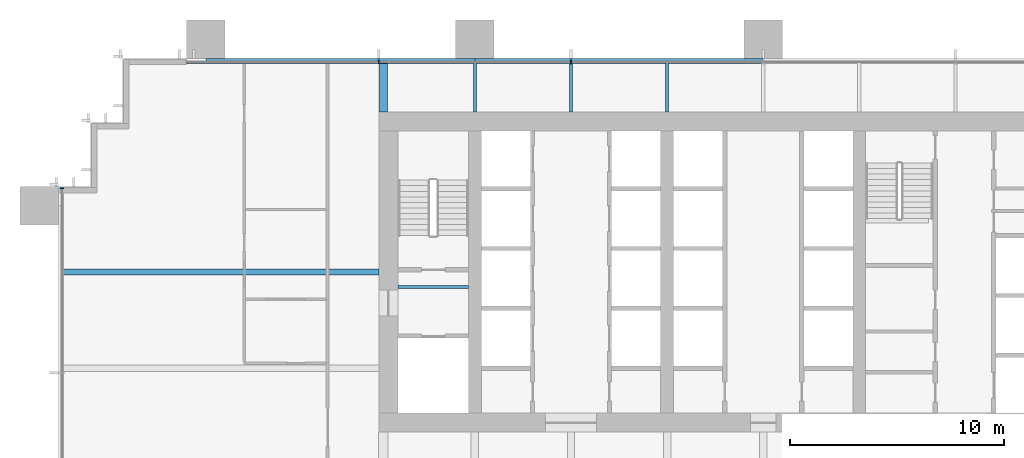
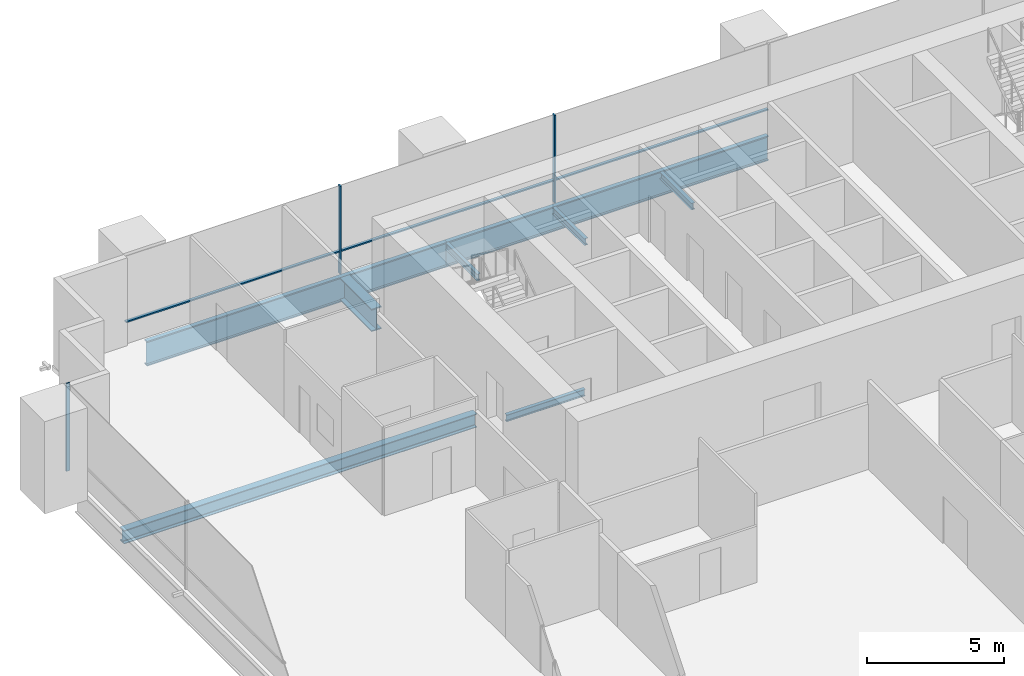
# One storey, part 7 of 17: 8 beams, 6 members, 2 elements without a shape of their own.
"""IFC4 building model written with IfcOpenShell, lengths in metres."""

import ifcopenshell
import ifcopenshell.guid

model = None  # the IFC model being written
_history = None  # IfcOwnerHistory: only IFC2X3 demands one
_inside = {}  # id of a spatial element -> (the spatial element, [elements in it])
_under = {}  # id of a project, library or spatial element -> (it, [spatial elements below it])
_declared = {}  # id of a project -> (the project, [libraries it declares])
_typed = {}  # id of a type object -> (the type object, [elements of that type])
_made_of = {}  # id of a material, layer set ... -> (it, [elements and type objects made of it])


def new_model(schema):
    """Start an empty IFC model of exactly this schema.

    Asked for "IFC4X3", IfcOpenShell would pick the latest addendum, in which some entities
    have other attributes; the version numbers below select the first issue.
    IFC2X3 requires an IfcOwnerHistory on every rooted entity: one is made here for all.
    """
    global model, _history
    if schema == "IFC4X3":
        model = ifcopenshell.file(schema_version=(4, 3, 0, 0))
    else:
        model = ifcopenshell.file(schema=schema)
    _inside.clear()
    _under.clear()
    _declared.clear()
    _typed.clear()
    _made_of.clear()
    _history = None
    if model.schema == "IFC2X3":
        org = make("IfcOrganization", Name="unknown")
        user = make(
            "IfcPersonAndOrganization",
            ThePerson=make("IfcPerson", FamilyName="unknown"),
            TheOrganization=org,
        )
        app = make(
            "IfcApplication",
            ApplicationDeveloper=org,
            Version="unknown",
            ApplicationFullName="unknown",
            ApplicationIdentifier="unknown",
        )
        _history = make(
            "IfcOwnerHistory",
            OwningUser=user,
            OwningApplication=app,
            ChangeAction="ADDED",
            CreationDate=0,
        )
    return model


def make(cls, **values):
    """One entity of the class cls with the attributes given. An attribute that is None is left unset."""
    return model.create_entity(
        cls, **{name: value for name, value in values.items() if value is not None}
    )


def rooted(cls, **values):
    """An entity with a GlobalId (a new one), such as an element, a storey or a relation."""
    return make(cls, GlobalId=ifcopenshell.guid.new(), OwnerHistory=_history, **values)


def si_unit(unit_type, name, prefix=None):
    """IfcSIUnit, for example si_unit("LENGTHUNIT", "METRE", prefix="MILLI")."""
    return make("IfcSIUnit", UnitType=unit_type, Prefix=prefix, Name=name)


def assignment(units):
    """IfcUnitAssignment: the units of a project."""
    return None if units is None else make("IfcUnitAssignment", Units=units)


def point(xyz):
    """IfcCartesianPoint."""
    return None if xyz is None else make("IfcCartesianPoint", Coordinates=xyz)


def direction(xyz):
    """IfcDirection."""
    return None if xyz is None else make("IfcDirection", DirectionRatios=xyz)


def frame(location, z_axis=None, x_axis=None):
    """IfcAxis2Placement3D, a coordinate frame: its origin and axes. An axis left out is left unset."""
    return make(
        "IfcAxis2Placement3D",
        Location=point(location),
        Axis=direction(z_axis),
        RefDirection=direction(x_axis),
    )


def frame_2d(location, x_axis=None):
    """IfcAxis2Placement2D, a coordinate frame in the plane: its origin and x axis."""
    return make(
        "IfcAxis2Placement2D", Location=point(location), RefDirection=direction(x_axis)
    )


def origin():
    """The frame at (0, 0, 0) with its axes left unset."""
    return frame((0.0, 0.0, 0.0))


def origin_2d():
    """The frame at (0, 0) in the plane with its x axis left unset."""
    return frame_2d((0.0, 0.0))


def place(relative_to, where):
    """IfcLocalPlacement: puts the frame where relative to a parent placement (None: the world)."""
    return make(
        "IfcLocalPlacement", PlacementRelTo=relative_to, RelativePlacement=where
    )


def context(
    kind, dimensions, precision=None, world=None, true_north=None, identifier=None
):
    """IfcGeometricRepresentationContext, for example the 3D "Model" context."""
    return make(
        "IfcGeometricRepresentationContext",
        ContextIdentifier=identifier,
        ContextType=kind,
        CoordinateSpaceDimension=dimensions,
        Precision=precision,
        WorldCoordinateSystem=world,
        TrueNorth=true_north,
    )


def subcontext(parent, identifier, kind, view, scale=None):
    """IfcGeometricRepresentationSubContext, for example "Body" below "Model"."""
    return make(
        "IfcGeometricRepresentationSubContext",
        ContextIdentifier=identifier,
        ContextType=kind,
        ParentContext=parent,
        TargetScale=scale,
        TargetView=view,
    )


def project(units=None, contexts=None):
    """IfcProject with its units and contexts."""
    return rooted(
        "IfcProject",
        Name="project",
        RepresentationContexts=contexts,
        UnitsInContext=assignment(units),
    )


def spatial(cls, under=None, at=None, **own):
    """A site, building, storey or space (cls), placed at a placement, below another one or the project."""
    s = rooted(cls, ObjectPlacement=at, **own)
    if under is not None:
        _under.setdefault(under.id(), (under, []))[1].append(s)
    return s


def profile(cls, at=None, kind="AREA", **sizes):
    """A parametric profile (cls). Its sizes go by their IFC names, for example OverallWidth=200.0."""
    return make(cls, ProfileType=kind, Position=at, **sizes)


def rectangle(**sizes):
    """IfcRectangleProfileDef."""
    return profile("IfcRectangleProfileDef", **sizes)


def i_section(**sizes):
    """IfcIShapeProfileDef."""
    return profile("IfcIShapeProfileDef", **sizes)


def extrude(swept, where, along, depth):
    """IfcExtrudedAreaSolid: the profile swept, set in the frame where, extruded along a direction by depth."""
    return make(
        "IfcExtrudedAreaSolid",
        SweptArea=swept,
        Position=where,
        ExtrudedDirection=direction(along),
        Depth=depth,
    )


def shape(context_of_items, identifier, shape_type, items):
    """IfcShapeRepresentation: the items that make up one representation, for example the "Body"."""
    return make(
        "IfcShapeRepresentation",
        ContextOfItems=context_of_items,
        RepresentationIdentifier=identifier,
        RepresentationType=shape_type,
        Items=items,
    )


def material(Name=None, Category=None):
    """IfcMaterial."""
    return make("IfcMaterial", Name=Name, Category=Category)


def material_profile(
    of_material, cross_section, Name=None, Category=None, Priority=None
):
    """IfcMaterialProfile: a cross section and its material."""
    return make(
        "IfcMaterialProfile",
        Name=Name,
        Material=of_material,
        Profile=cross_section,
        Priority=Priority,
        Category=Category,
    )


def profile_set(profiles, Name=None, composite=None):
    """IfcMaterialProfileSet."""
    return make(
        "IfcMaterialProfileSet",
        Name=Name,
        MaterialProfiles=profiles,
        CompositeProfile=composite,
    )


def made_of(thing, what):
    """Note that an element or type object is made of a material, layer set ...; save() writes the relation."""
    if what is not None:
        _made_of.setdefault(what.id(), (what, []))[1].append(thing)
    return thing


def type_object(cls, material=None, **own):
    """A type object (cls), such as IfcWallType, which elements share."""
    return made_of(rooted(cls, **own), material)


def element(
    cls,
    number,
    at=None,
    inside=None,
    cuts=None,
    type_object=None,
    material=None,
    context=None,
    identifier="Body",
    shape_type=None,
    held_by="IfcProductDefinitionShape",
    body=None,
    shapes=None,
    **own,
):
    """One element of the class cls, such as IfcWall. Its Tag is "e" and its number.

    at: its placement. inside: the storey or other place that contains it. cuts: it is an
    opening in that element (IfcRelVoidsElement). A single representation is given by context,
    identifier, shape_type and body (its items); several are given by shapes. held_by: the class
    of the entity that holds the representations. save() writes the other relations.
    """
    e = rooted(cls, Tag="e%d" % number, ObjectPlacement=at, **own)
    if body is not None:
        shapes = [shape(context, identifier, shape_type, body)]
    if shapes is not None:
        e.Representation = make(held_by, Representations=shapes)
    if inside is not None:
        _inside.setdefault(inside.id(), (inside, []))[1].append(e)
    if cuts is not None:
        rooted(
            "IfcRelVoidsElement", RelatingBuildingElement=cuts, RelatedOpeningElement=e
        )
    if type_object is not None:
        _typed.setdefault(type_object.id(), (type_object, []))[1].append(e)
    return made_of(e, material)


def aggregate(whole, parts):
    """IfcRelAggregates: a whole, such as a stair, and the parts it consists of."""
    return rooted("IfcRelAggregates", RelatingObject=whole, RelatedObjects=parts)


def save(model, path):
    """Write the relations noted so far, then the file.

    IfcRelAggregates (storeys below a building ...), IfcRelContainedInSpatialStructure (elements
    in a storey), IfcRelDefinesByType, IfcRelAssociatesMaterial and IfcRelDeclares: one each for
    every whole, place, type object, material and project.
    """
    for whole, parts in _under.values():
        aggregate(whole, parts)
    for where, things in _inside.values():
        rooted(
            "IfcRelContainedInSpatialStructure",
            RelatedElements=things,
            RelatingStructure=where,
        )
    for kind, things in _typed.values():
        rooted("IfcRelDefinesByType", RelatedObjects=things, RelatingType=kind)
    for what, things in _made_of.values():
        rooted("IfcRelAssociatesMaterial", RelatedObjects=things, RelatingMaterial=what)
    for by, libraries in _declared.values():
        rooted("IfcRelDeclares", RelatingContext=by, RelatedDefinitions=libraries)
    model.write(path)


model = new_model("IFC4")

# Units and contexts
model_context = context("Model", 3, precision=1e-05, world=origin(), true_north=direction((0.0, 1.0)))
body_context = subcontext(model_context, "Body", "Model", "MODEL_VIEW")
ifc_project = project(units=[si_unit("LENGTHUNIT", "METRE"), si_unit("AREAUNIT", "SQUARE_METRE"), si_unit("VOLUMEUNIT", "CUBIC_METRE"), si_unit("PLANEANGLEUNIT", "RADIAN"), si_unit("MASSUNIT", "GRAM", prefix="KILO")], contexts=[model_context])

# Site, building, storey
site_placement = place(None, origin())
site = spatial("IfcSite", under=ifc_project, at=site_placement, CompositionType="ELEMENT")
building_placement = place(site_placement, origin())
building = spatial("IfcBuilding", under=site, at=building_placement, Name="Rattan Terrace Tower", CompositionType="ELEMENT")
storey_placement = place(building_placement, frame((0.0, 0.0, 48.800048828125)))
storey = spatial("IfcBuildingStorey", under=building, at=storey_placement, Name="L10", CompositionType="ELEMENT", Elevation=48.800048828125)

# Curtain wall, members
ifc_material_1 = material(Name="Aluminium and glass", Category="aluminium")
curtain_wall_type = type_object("IfcCurtainWallType", Name="Facade Unitised Curtain Wall", PredefinedType="NOTDEFINED", material=ifc_material_1)
curtain_wall_1_placement = place(storey_placement, origin())
curtain_wall_1 = element("IfcCurtainWall", 1, at=curtain_wall_1_placement, inside=storey, type_object=curtain_wall_type, Name="Curtain wall L10-2", PredefinedType="NOTDEFINED")
ifc_material_2 = material(Name="Aluminium", Category="aluminium")
ifc_material_profile_1 = material_profile(ifc_material_2, rectangle(XDim=0.06005859375, YDim=0.159912109375, at=origin_2d()), Name="Aluminium 60x160")
ifc_profile_set_1 = profile_set([ifc_material_profile_1], Name="Aluminium")
member_type_1 = type_object("IfcMemberType", Name="Facade CW Mullion 60x160", PredefinedType="MULLION", material=ifc_profile_set_1)
member_1_placement = place(storey_placement, frame((-9.0, 9.830078125, 0.0), z_axis=(0.0, 0.0, 1.0), x_axis=(-1.0, 0.0, 0.0)))
member_1 = element("IfcMember", 2, at=member_1_placement, type_object=member_type_1, Name="Mullion cwl-L10-002.5", PredefinedType="MULLION", context=body_context, shape_type="SweptSolid", body=[
    extrude(rectangle(XDim=0.06005859375, YDim=0.159912109375, at=origin_2d()), origin(), (0.0, 0.0, 1.0), 3.89990234375),
])
member_2_placement = place(storey_placement, frame((-18.0, 9.830078125, 0.0), z_axis=(0.0, 0.0, 1.0), x_axis=(-1.0, 0.0, 0.0)))
member_2 = element("IfcMember", 3, at=member_2_placement, type_object=member_type_1, Name="Mullion cwl-L10-002.6", PredefinedType="MULLION", context=body_context, shape_type="SweptSolid", body=[
    extrude(rectangle(XDim=0.06005859375, YDim=0.159912109375, at=origin_2d()), origin(), (0.0, 0.0, 1.0), 3.89990234375),
])

# Curtain wall, member
curtain_wall_2_placement = place(storey_placement, origin())
curtain_wall_2 = element("IfcCurtainWall", 4, at=curtain_wall_2_placement, inside=storey, type_object=curtain_wall_type, Name="Curtain wall L10-3", PredefinedType="NOTDEFINED")
member_3_placement = place(storey_placement, frame((-32.830078125, 3.925048828125, 0.0), z_axis=(0.0, 0.0, 1.0), x_axis=(0.0, -1.0, 0.0)))
member_3 = element("IfcMember", 5, at=member_3_placement, type_object=member_type_1, Name="Mullion cwl-L10-003.1", PredefinedType="MULLION", context=body_context, shape_type="SweptSolid", body=[
    extrude(rectangle(XDim=0.06005859375, YDim=0.159912109375, at=origin_2d()), origin(), (0.0, 0.0, 1.0), 3.89990234375),
])
aggregate(curtain_wall_2, [member_3])

# Member
ifc_material_3 = material(Name="Aluminium", Category="aluminium")
ifc_material_profile_2 = material_profile(ifc_material_3, rectangle(XDim=0.1201171875, YDim=0.06005859375, at=origin_2d()), Name="Aluminium 120x60")
ifc_profile_set_2 = profile_set([ifc_material_profile_2], Name="Aluminium")
member_type_2 = type_object("IfcMemberType", Name="Facade CW Transom 120x60", PredefinedType="USERDEFINED", material=ifc_profile_set_2)
member_4_placement = place(storey_placement, frame((-0.030029296875, 9.830078125, 1.0), z_axis=(-1.0, 0.0, 0.0), x_axis=(0.0, -1.0, 0.0)))
member_4 = element("IfcMember", 6, at=member_4_placement, type_object=member_type_2, Name="Transom cwl-L10-002.4", ObjectType="TRANSOM", PredefinedType="USERDEFINED", context=body_context, shape_type="SweptSolid", body=[
    extrude(rectangle(XDim=0.1201171875, YDim=0.06005859375, at=origin_2d()), origin(), (0.0, 0.0, 1.0), 8.93994140625),
])

member_5_placement = place(storey_placement, frame((-9.030029296875, 9.830078125, 1.0), z_axis=(-1.0, 0.0, 0.0), x_axis=(0.0, -1.0, 0.0)))
member_5 = element("IfcMember", 7, at=member_5_placement, type_object=member_type_2, Name="Transom cwl-L10-002.5", ObjectType="TRANSOM", PredefinedType="USERDEFINED", context=body_context, shape_type="SweptSolid", body=[
    extrude(rectangle(XDim=0.1201171875, YDim=0.06005859375, at=origin_2d()), origin(), (0.0, 0.0, 1.0), 8.93994140625),
])

member_6_placement = place(storey_placement, frame((-18.030029296875, 9.830078125, 1.0), z_axis=(-1.0, 0.0, 0.0), x_axis=(0.0, -1.0, 0.0)))
member_6 = element("IfcMember", 8, at=member_6_placement, type_object=member_type_2, Name="Transom cwl-L10-002.6", ObjectType="TRANSOM", PredefinedType="USERDEFINED", context=body_context, shape_type="SweptSolid", body=[
    extrude(rectangle(XDim=0.1201171875, YDim=0.06005859375, at=origin_2d()), origin(), (0.0, 0.0, 1.0), 8.969970703125),
])

aggregate(curtain_wall_1, [member_1, member_2, member_4, member_5, member_6])

# Beams
ifc_material_4 = material(Name="Steel S460", Category="steel")
ifc_material_profile_3 = material_profile(ifc_material_4, i_section(OverallWidth=0.39990234375, OverallDepth=1.0, WebThickness=0.01806640625, FlangeThickness=0.044921875, at=origin_2d()), Name="PG 1000x400-18-45")
ifc_profile_set_3 = profile_set([ifc_material_profile_3], Name="Steel S460")
beam_type_1 = type_object("IfcBeamType", Name="Frame core girder PG 1000x400-18-45", PredefinedType="BEAM", material=ifc_profile_set_3)
beam_1_placement = place(storey_placement, frame((-17.800048828125, 7.5, -0.699951171875), z_axis=(0.0, 1.0, 0.0), x_axis=(-1.0, 0.0, 0.0)))
element("IfcBeam", 9, at=beam_1_placement, inside=storey, type_object=beam_type_1, Name="gdr-L10-015", PredefinedType="BEAM", context=body_context, shape_type="SweptSolid", body=[
    extrude(i_section(OverallWidth=0.39990234375, OverallDepth=1.0, WebThickness=0.01806640625, FlangeThickness=0.044921875, at=origin_2d()), origin(), (0.0, 0.0, 1.0), 2.320068359375),
])
ifc_material_5 = material(Name="Steel S460", Category="steel")
ifc_material_profile_4 = material_profile(ifc_material_5, i_section(OverallWidth=0.179931640625, OverallDepth=1.10009765625, WebThickness=0.01611328125, FlangeThickness=0.050048828125, at=origin_2d()), Name="PG 1100x180-16-50")
ifc_profile_set_4 = profile_set([ifc_material_profile_4], Name="Steel S460")
beam_type_2 = type_object("IfcBeamType", Name="Frame edge girder PG 1100x180-16-50", PredefinedType="SPANDREL", material=ifc_profile_set_4)
beam_2_placement = place(storey_placement, frame((-13.5, 9.909912109375, -0.75), z_axis=(-1.0, 0.0, 0.0), x_axis=(0.0, -1.0, 0.0)))
element("IfcBeam", 10, at=beam_2_placement, inside=storey, type_object=beam_type_2, Name="gdr-L10-009", PredefinedType="SPANDREL", context=body_context, shape_type="SweptSolid", body=[
    extrude(i_section(OverallWidth=0.179931640625, OverallDepth=1.10009765625, WebThickness=0.01611328125, FlangeThickness=0.050048828125, at=origin_2d()), origin(), (0.0, 0.0, 1.0), 12.60009765625),
])
beam_3_placement = place(storey_placement, frame((0.0, 9.909912109375, -0.75), z_axis=(-1.0, 0.0, 0.0), x_axis=(0.0, -1.0, 0.0)))
element("IfcBeam", 11, at=beam_3_placement, inside=storey, type_object=beam_type_2, Name="gdr-L10-010", PredefinedType="SPANDREL", context=body_context, shape_type="SweptSolid", body=[
    extrude(i_section(OverallWidth=0.179931640625, OverallDepth=1.10009765625, WebThickness=0.01611328125, FlangeThickness=0.050048828125, at=origin_2d()), origin(), (0.0, 0.0, 1.0), 13.5),
])
ifc_material_6 = material(Name="Steel S355", Category="steel")
ifc_material_profile_5 = material_profile(ifc_material_6, i_section(OverallWidth=0.300048828125, OverallDepth=0.60009765625, WebThickness=0.015380859375, FlangeThickness=0.030029296875, FilletRadius=0.027099609375, at=origin_2d()), Name="HE 600 B")
ifc_profile_set_5 = profile_set([ifc_material_profile_5], Name="Steel S355")
beam_type_3 = type_object("IfcBeamType", Name="Frame floor beam HE 600 B", PredefinedType="JOIST", material=ifc_profile_set_5)
beam_4_placement = place(storey_placement, frame((-32.820068359375, 0.0, -0.5), z_axis=(1.0, 0.0, 0.0), x_axis=(0.0, 1.0, 0.0)))
element("IfcBeam", 12, at=beam_4_placement, inside=storey, type_object=beam_type_3, Name="bm-L10-022", PredefinedType="JOIST", context=body_context, shape_type="SweptSolid", body=[
    extrude(i_section(OverallWidth=0.300048828125, OverallDepth=0.60009765625, WebThickness=0.015380859375, FlangeThickness=0.030029296875, FilletRadius=0.027099609375, at=origin_2d()), origin(), (0.0, 0.0, 1.0), 14.820068359375),
])
ifc_material_7 = material(Name="Steel S355", Category="steel")
ifc_material_profile_6 = material_profile(ifc_material_7, i_section(OverallWidth=0.14990234375, OverallDepth=0.300048828125, WebThickness=0.007080078125, FlangeThickness=0.0107421875, FilletRadius=0.014892578125, at=origin_2d()), Name="IPE 300")
ifc_profile_set_6 = profile_set([ifc_material_profile_6], Name="Steel S355")
beam_type_4 = type_object("IfcBeamType", Name="Frame floor beam IPE 300", PredefinedType="JOIST", material=ifc_profile_set_6)
beam_5_placement = place(storey_placement, frame((-17.10009765625, -0.695068359375, -0.35009765625), z_axis=(1.0, 0.0, 0.0), x_axis=(0.0, 1.0, 0.0)))
element("IfcBeam", 13, at=beam_5_placement, inside=storey, type_object=beam_type_4, Name="bm-L10-001", PredefinedType="JOIST", context=body_context, shape_type="SweptSolid", body=[
    extrude(i_section(OverallWidth=0.14990234375, OverallDepth=0.300048828125, WebThickness=0.007080078125, FlangeThickness=0.0107421875, FilletRadius=0.014892578125, at=origin_2d()), origin(), (0.0, 0.0, 1.0), 3.300048828125),
])
for number, where, z_axis, x_axis, name in (
    (14, (-13.5, 7.5, -0.35009765625), (0.0, 1.0, 0.0), (-1.0, 0.0, 0.0), "bm-L10-024"),
    (15, (-9.0, 7.5, -0.35009765625), (0.0, 1.0, 0.0), (-1.0, 0.0, 0.0), "bm-L10-025"),
    (16, (-4.5, 7.5, -0.35009765625), (0.0, 1.0, 0.0), (-1.0, 0.0, 0.0), "bm-L10-026"),
):
    element("IfcBeam", number, at=place(storey_placement, frame(where, z_axis=z_axis, x_axis=x_axis)), inside=storey, type_object=beam_type_4, Name=name, PredefinedType="JOIST", context=body_context, shape_type="SweptSolid", body=[
        extrude(i_section(OverallWidth=0.14990234375, OverallDepth=0.300048828125, WebThickness=0.007080078125, FlangeThickness=0.0107421875, FilletRadius=0.014892578125, at=origin_2d()), origin(), (0.0, 0.0, 1.0), 2.320068359375),
    ])

save(model, "model.ifc")
